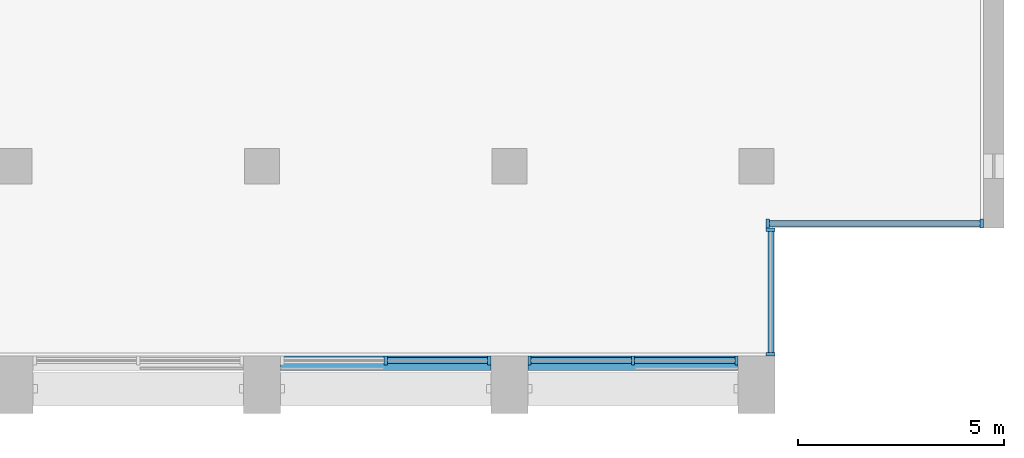
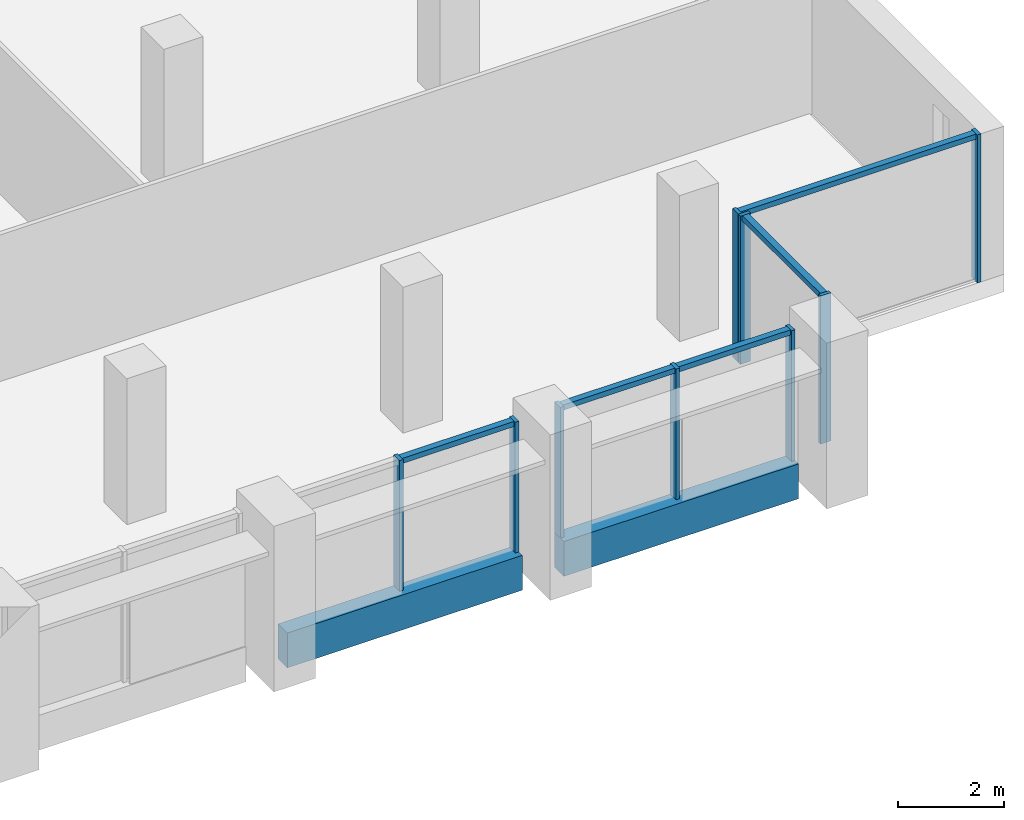
# One storey, part 3 of 14: 14 members, 2 beams, 4 elements without a shape of their own.
"""IFC4 building model written with IfcOpenShell, lengths in metres."""

from ifc_helpers import new_model, si_unit, direction, frame, origin, origin_2d, place, context, subcontext, project, spatial, rectangle, extrude, material, material_profile, profile_set, type_object, element, aggregate, save


model = new_model("IFC4")

# Units and contexts
model_context = context("Model", 3, precision=1e-05, world=origin(), true_north=direction((0.0, 1.0)))
body_context = subcontext(model_context, "Body", "Model", "MODEL_VIEW")
ifc_project = project(units=[si_unit("LENGTHUNIT", "METRE"), si_unit("AREAUNIT", "SQUARE_METRE"), si_unit("VOLUMEUNIT", "CUBIC_METRE"), si_unit("PLANEANGLEUNIT", "RADIAN"), si_unit("MASSUNIT", "GRAM", prefix="KILO")], contexts=[model_context])

# Site, building, storey
site_placement = place(None, origin())
site = spatial("IfcSite", under=ifc_project, at=site_placement, CompositionType="ELEMENT")
building_placement = place(site_placement, origin())
building = spatial("IfcBuilding", under=site, at=building_placement, Name="Calvaro Tower", CompositionType="ELEMENT")
storey_placement = place(building_placement, frame((0.0, 0.0, 246.949951171875)))
storey = spatial("IfcBuildingStorey", under=building, at=storey_placement, Name="L62", CompositionType="ELEMENT", Elevation=246.949951171875)

# Curtain wall, members
ifc_material_1 = material(Name="Anodised aluminium", Category="aluminium")
curtain_wall_type = type_object("IfcCurtainWallType", Name="Executive curtain wall", PredefinedType="NOTDEFINED", material=ifc_material_1)
curtain_wall_1_placement = place(storey_placement, origin())
curtain_wall_1 = element("IfcCurtainWall", 1, at=curtain_wall_1_placement, inside=storey, type_object=curtain_wall_type, Name="CW4 south curtain wall", PredefinedType="NOTDEFINED")
ifc_material_2 = material(Name="Anodised aluminium", Category="aluminium")
ifc_material_profile_1 = material_profile(ifc_material_2, rectangle(XDim=0.219970703125, YDim=0.080078125, at=origin_2d()), Name="Mullion S4 80 x 220")
ifc_profile_set_1 = profile_set([ifc_material_profile_1], Name="Anodised aluminium")
member_type_1 = type_object("IfcMemberType", Name="Mullion S4 80 x 220", PredefinedType="MULLION", material=ifc_profile_set_1)
member_1_placement = place(storey_placement, frame((51.0, 5.2900390625, 0.0), z_axis=(0.0, 0.0, 1.0), x_axis=(0.0, 1.0, 0.0)))
member_1 = element("IfcMember", 2, at=member_1_placement, type_object=member_type_1, Name="CW4 mullion 2", PredefinedType="MULLION", context=body_context, shape_type="SweptSolid", body=[
    extrude(rectangle(XDim=0.219970703125, YDim=0.080078125, at=origin_2d()), origin(), (0.0, 0.0, 1.0), 3.0),
])
member_2_placement = place(storey_placement, frame((53.510009765625, 5.2900390625, 0.0), z_axis=(0.0, 0.0, 1.0), x_axis=(0.0, 1.0, 0.0)))
member_2 = element("IfcMember", 3, at=member_2_placement, type_object=member_type_1, Name="CW4 mullion 3", PredefinedType="MULLION", context=body_context, shape_type="SweptSolid", body=[
    extrude(rectangle(XDim=0.219970703125, YDim=0.080078125, at=origin_2d()), origin(), (0.0, 0.0, 1.0), 3.0),
])

curtain_wall_2_placement = place(storey_placement, origin())
curtain_wall_2 = element("IfcCurtainWall", 4, at=curtain_wall_2_placement, inside=storey, type_object=curtain_wall_type, Name="CW4 south curtain wall", PredefinedType="NOTDEFINED")
member_3_placement = place(storey_placement, frame((54.489990234375, 5.2900390625, 0.0), z_axis=(0.0, 0.0, 1.0), x_axis=(0.0, 1.0, 0.0)))
member_3 = element("IfcMember", 5, at=member_3_placement, type_object=member_type_1, Name="CW4 mullion 1", PredefinedType="MULLION", context=body_context, shape_type="SweptSolid", body=[
    extrude(rectangle(XDim=0.219970703125, YDim=0.080078125, at=origin_2d()), origin(), (0.0, 0.0, 1.0), 3.0),
])
member_4_placement = place(storey_placement, frame((57.0, 5.2900390625, 0.0), z_axis=(0.0, 0.0, 1.0), x_axis=(0.0, 1.0, 0.0)))
member_4 = element("IfcMember", 6, at=member_4_placement, type_object=member_type_1, Name="CW4 mullion 2", PredefinedType="MULLION", context=body_context, shape_type="SweptSolid", body=[
    extrude(rectangle(XDim=0.219970703125, YDim=0.080078125, at=origin_2d()), origin(), (0.0, 0.0, 1.0), 3.0),
])
member_5_placement = place(storey_placement, frame((59.510009765625, 5.2900390625, 0.0), z_axis=(0.0, 0.0, 1.0), x_axis=(0.0, 1.0, 0.0)))
member_5 = element("IfcMember", 7, at=member_5_placement, type_object=member_type_1, Name="CW4 mullion 3", PredefinedType="MULLION", context=body_context, shape_type="SweptSolid", body=[
    extrude(rectangle(XDim=0.219970703125, YDim=0.080078125, at=origin_2d()), origin(), (0.0, 0.0, 1.0), 3.0),
])

curtain_wall_3_placement = place(storey_placement, origin())
curtain_wall_3 = element("IfcCurtainWall", 8, at=curtain_wall_3_placement, inside=storey, type_object=curtain_wall_type, Name="CW4 corner curtain wall", PredefinedType="NOTDEFINED")
member_6_placement = place(storey_placement, frame((60.340087890625, 5.43994140625, 0.0), z_axis=(0.0, 0.0, 1.0), x_axis=(-1.0, 0.0, 0.0)))
member_6 = element("IfcMember", 9, at=member_6_placement, type_object=member_type_1, Name="CW4 mullion 1", PredefinedType="MULLION", context=body_context, shape_type="SweptSolid", body=[
    extrude(rectangle(XDim=0.219970703125, YDim=0.080078125, at=origin_2d()), origin(), (0.0, 0.0, 1.0), 3.400146484375),
])
member_7_placement = place(storey_placement, frame((60.340087890625, 8.4599609375, 0.0), z_axis=(0.0, 0.0, 1.0), x_axis=(-1.0, 0.0, 0.0)))
member_7 = element("IfcMember", 10, at=member_7_placement, type_object=member_type_1, Name="CW4 mullion 2", PredefinedType="MULLION", context=body_context, shape_type="SweptSolid", body=[
    extrude(rectangle(XDim=0.219970703125, YDim=0.080078125, at=origin_2d()), origin(), (0.0, 0.0, 1.0), 3.400146484375),
])

curtain_wall_4_placement = place(storey_placement, origin())
curtain_wall_4 = element("IfcCurtainWall", 11, at=curtain_wall_4_placement, inside=storey, type_object=curtain_wall_type, Name="CW4 corner curtain wall", PredefinedType="NOTDEFINED")
member_8_placement = place(storey_placement, frame((60.27001953125, 8.610107421875, 0.0), z_axis=(0.0, 0.0, 1.0), x_axis=(0.0, 1.0, 0.0)))
member_8 = element("IfcMember", 12, at=member_8_placement, type_object=member_type_1, Name="CW4 mullion 1", PredefinedType="MULLION", context=body_context, shape_type="SweptSolid", body=[
    extrude(rectangle(XDim=0.219970703125, YDim=0.080078125, at=origin_2d()), origin(), (0.0, 0.0, 1.0), 3.400146484375),
])
member_9_placement = place(storey_placement, frame((65.4599609375, 8.610107421875, 0.0), z_axis=(0.0, 0.0, 1.0), x_axis=(0.0, 1.0, 0.0)))
member_9 = element("IfcMember", 13, at=member_9_placement, type_object=member_type_1, Name="CW4 mullion 2", PredefinedType="MULLION", context=body_context, shape_type="SweptSolid", body=[
    extrude(rectangle(XDim=0.219970703125, YDim=0.080078125, at=origin_2d()), origin(), (0.0, 0.0, 1.0), 3.400146484375),
])

# Beams
ifc_material_3 = material(Name="Concrete C50/60 precast", Category="concrete")
ifc_material_profile_2 = material_profile(ifc_material_3, rectangle(XDim=0.35009765625, YDim=0.800048828125, at=origin_2d()), Name="RC 350x800")
ifc_profile_set_2 = profile_set([ifc_material_profile_2], Name="Concrete C50/60 precast")
beam_type = type_object("IfcBeamType", Name="Spandrel beam 350x800 C50/60", PredefinedType="SPANDREL", material=ifc_profile_set_2)
for number, where, z_axis, x_axis, name in (
    (14, (48.449951171875, 5.22509765625, -0.39990234375), (1.0, 0.0, 0.0), (0.0, 1.0, 0.0), "Spandrel beam"),
    (15, (54.449951171875, 5.22509765625, -0.39990234375), (1.0, 0.0, 0.0), (0.0, 1.0, 0.0), "Spandrel beam"),
):
    element("IfcBeam", number, at=place(storey_placement, frame(where, z_axis=z_axis, x_axis=x_axis)), inside=storey, type_object=beam_type, Name=name, PredefinedType="SPANDREL", context=body_context, shape_type="SweptSolid", body=[
        extrude(rectangle(XDim=0.35009765625, YDim=0.800048828125, at=origin_2d()), origin(), (0.0, 0.0, 1.0), 5.10009765625),
    ])

# Member
ifc_material_4 = material(Name="Anodised aluminium", Category="aluminium")
ifc_material_profile_3 = material_profile(ifc_material_4, rectangle(XDim=0.139892578125, YDim=0.1201171875, at=origin_2d()), Name="Transom S4 120 x 140")
ifc_profile_set_3 = profile_set([ifc_material_profile_3], Name="Anodised aluminium")
member_type_2 = type_object("IfcMemberType", Name="Transom S4 120 x 140", PredefinedType="USERDEFINED", material=ifc_profile_set_3)
member_10_placement = place(storey_placement, frame((51.0400390625, 5.2900390625, 2.93994140625), z_axis=(1.0, 0.0, 0.0), x_axis=(0.0, 1.0, 0.0)))
member_10 = element("IfcMember", 16, at=member_10_placement, type_object=member_type_2, Name="CW4 transom 2.1", ObjectType="TRANSOM", PredefinedType="USERDEFINED", context=body_context, shape_type="SweptSolid", body=[
    extrude(rectangle(XDim=0.139892578125, YDim=0.1201171875, at=origin_2d()), origin(), (0.0, 0.0, 1.0), 2.429931640625),
])

aggregate(curtain_wall_1, [member_1, member_2, member_10])

member_11_placement = place(storey_placement, frame((54.530029296875, 5.2900390625, 2.93994140625), z_axis=(1.0, 0.0, 0.0), x_axis=(0.0, 1.0, 0.0)))
member_11 = element("IfcMember", 17, at=member_11_placement, type_object=member_type_2, Name="CW4 transom 1.1", ObjectType="TRANSOM", PredefinedType="USERDEFINED", context=body_context, shape_type="SweptSolid", body=[
    extrude(rectangle(XDim=0.139892578125, YDim=0.1201171875, at=origin_2d()), origin(), (0.0, 0.0, 1.0), 2.429931640625),
])

member_12_placement = place(storey_placement, frame((57.0400390625, 5.2900390625, 2.93994140625), z_axis=(1.0, 0.0, 0.0), x_axis=(0.0, 1.0, 0.0)))
member_12 = element("IfcMember", 18, at=member_12_placement, type_object=member_type_2, Name="CW4 transom 2.1", ObjectType="TRANSOM", PredefinedType="USERDEFINED", context=body_context, shape_type="SweptSolid", body=[
    extrude(rectangle(XDim=0.139892578125, YDim=0.1201171875, at=origin_2d()), origin(), (0.0, 0.0, 1.0), 2.429931640625),
])

aggregate(curtain_wall_2, [member_3, member_4, member_5, member_11, member_12])

member_13_placement = place(storey_placement, frame((60.340087890625, 5.47998046875, 3.340087890625), z_axis=(0.0, 1.0, 0.0), x_axis=(-1.0, 0.0, 0.0)))
member_13 = element("IfcMember", 19, at=member_13_placement, type_object=member_type_2, Name="CW4 transom 1.1", ObjectType="TRANSOM", PredefinedType="USERDEFINED", context=body_context, shape_type="SweptSolid", body=[
    extrude(rectangle(XDim=0.139892578125, YDim=0.1201171875, at=origin_2d()), origin(), (0.0, 0.0, 1.0), 2.93994140625),
])

aggregate(curtain_wall_3, [member_6, member_7, member_13])

member_14_placement = place(storey_placement, frame((60.31005859375, 8.610107421875, 3.340087890625), z_axis=(1.0, 0.0, 0.0), x_axis=(0.0, 1.0, 0.0)))
member_14 = element("IfcMember", 20, at=member_14_placement, type_object=member_type_2, Name="CW4 transom 1.1", ObjectType="TRANSOM", PredefinedType="USERDEFINED", context=body_context, shape_type="SweptSolid", body=[
    extrude(rectangle(XDim=0.139892578125, YDim=0.1201171875, at=origin_2d()), origin(), (0.0, 0.0, 1.0), 5.10986328125),
])

aggregate(curtain_wall_4, [member_8, member_9, member_14])

save(model, "model.ifc")
